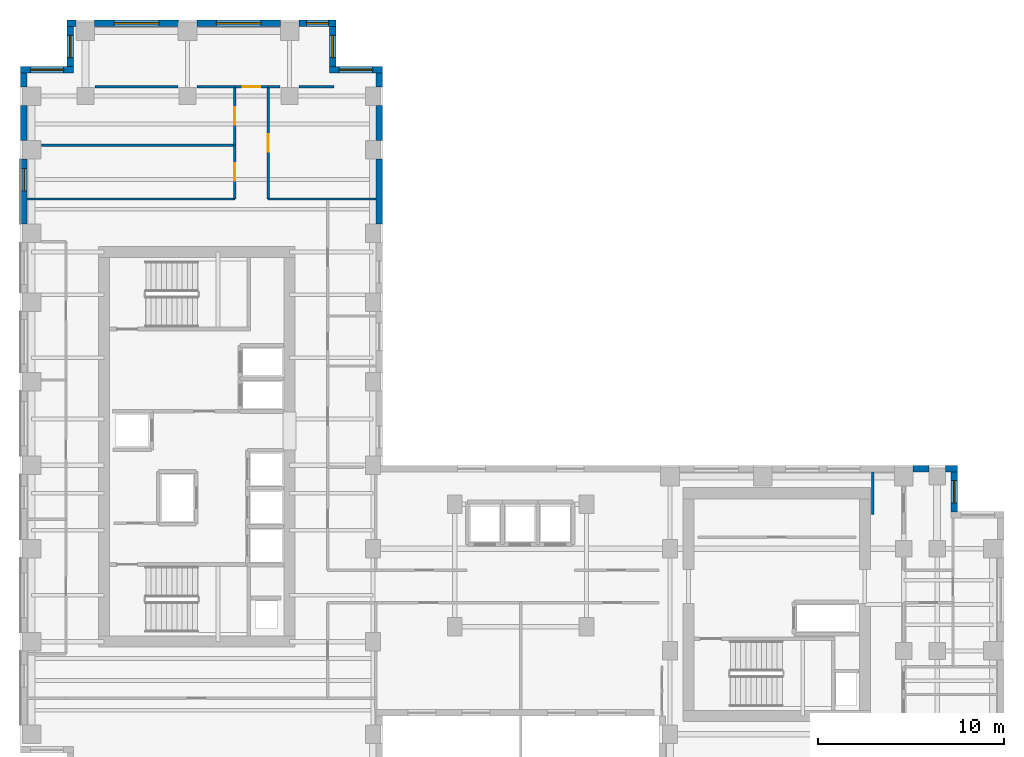
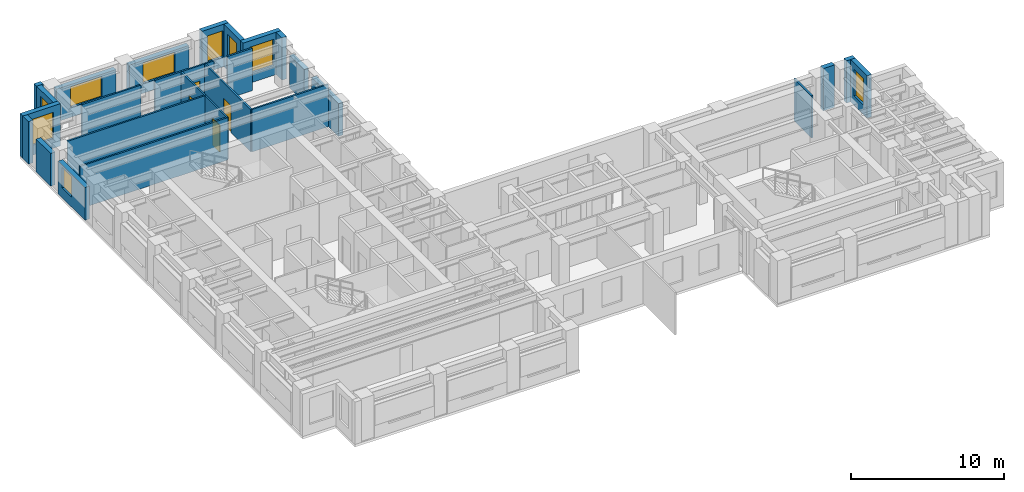
# One storey, part 9 of 12: 29 walls, 9 windows, 4 doors, 13 openings.
"""IFC4 building model written with IfcOpenShell, lengths in metres."""

import ifcopenshell
import ifcopenshell.guid

model = None  # the IFC model being written
_history = None  # IfcOwnerHistory: only IFC2X3 demands one
_inside = {}  # id of a spatial element -> (the spatial element, [elements in it])
_under = {}  # id of a project, library or spatial element -> (it, [spatial elements below it])
_declared = {}  # id of a project -> (the project, [libraries it declares])
_typed = {}  # id of a type object -> (the type object, [elements of that type])
_made_of = {}  # id of a material, layer set ... -> (it, [elements and type objects made of it])


def new_model(schema):
    """Start an empty IFC model of exactly this schema.

    Asked for "IFC4X3", IfcOpenShell would pick the latest addendum, in which some entities
    have other attributes; the version numbers below select the first issue.
    IFC2X3 requires an IfcOwnerHistory on every rooted entity: one is made here for all.
    """
    global model, _history
    if schema == "IFC4X3":
        model = ifcopenshell.file(schema_version=(4, 3, 0, 0))
    else:
        model = ifcopenshell.file(schema=schema)
    _inside.clear()
    _under.clear()
    _declared.clear()
    _typed.clear()
    _made_of.clear()
    _history = None
    if model.schema == "IFC2X3":
        org = make("IfcOrganization", Name="unknown")
        user = make(
            "IfcPersonAndOrganization",
            ThePerson=make("IfcPerson", FamilyName="unknown"),
            TheOrganization=org,
        )
        app = make(
            "IfcApplication",
            ApplicationDeveloper=org,
            Version="unknown",
            ApplicationFullName="unknown",
            ApplicationIdentifier="unknown",
        )
        _history = make(
            "IfcOwnerHistory",
            OwningUser=user,
            OwningApplication=app,
            ChangeAction="ADDED",
            CreationDate=0,
        )
    return model


def make(cls, **values):
    """One entity of the class cls with the attributes given. An attribute that is None is left unset."""
    return model.create_entity(
        cls, **{name: value for name, value in values.items() if value is not None}
    )


def rooted(cls, **values):
    """An entity with a GlobalId (a new one), such as an element, a storey or a relation."""
    return make(cls, GlobalId=ifcopenshell.guid.new(), OwnerHistory=_history, **values)


def si_unit(unit_type, name, prefix=None):
    """IfcSIUnit, for example si_unit("LENGTHUNIT", "METRE", prefix="MILLI")."""
    return make("IfcSIUnit", UnitType=unit_type, Prefix=prefix, Name=name)


def assignment(units):
    """IfcUnitAssignment: the units of a project."""
    return None if units is None else make("IfcUnitAssignment", Units=units)


def point(xyz):
    """IfcCartesianPoint."""
    return None if xyz is None else make("IfcCartesianPoint", Coordinates=xyz)


def direction(xyz):
    """IfcDirection."""
    return None if xyz is None else make("IfcDirection", DirectionRatios=xyz)


def frame(location, z_axis=None, x_axis=None):
    """IfcAxis2Placement3D, a coordinate frame: its origin and axes. An axis left out is left unset."""
    return make(
        "IfcAxis2Placement3D",
        Location=point(location),
        Axis=direction(z_axis),
        RefDirection=direction(x_axis),
    )


def frame_2d(location, x_axis=None):
    """IfcAxis2Placement2D, a coordinate frame in the plane: its origin and x axis."""
    return make(
        "IfcAxis2Placement2D", Location=point(location), RefDirection=direction(x_axis)
    )


def origin():
    """The frame at (0, 0, 0) with its axes left unset."""
    return frame((0.0, 0.0, 0.0))


def place(relative_to, where):
    """IfcLocalPlacement: puts the frame where relative to a parent placement (None: the world)."""
    return make(
        "IfcLocalPlacement", PlacementRelTo=relative_to, RelativePlacement=where
    )


def context(
    kind, dimensions, precision=None, world=None, true_north=None, identifier=None
):
    """IfcGeometricRepresentationContext, for example the 3D "Model" context."""
    return make(
        "IfcGeometricRepresentationContext",
        ContextIdentifier=identifier,
        ContextType=kind,
        CoordinateSpaceDimension=dimensions,
        Precision=precision,
        WorldCoordinateSystem=world,
        TrueNorth=true_north,
    )


def subcontext(parent, identifier, kind, view, scale=None):
    """IfcGeometricRepresentationSubContext, for example "Body" below "Model"."""
    return make(
        "IfcGeometricRepresentationSubContext",
        ContextIdentifier=identifier,
        ContextType=kind,
        ParentContext=parent,
        TargetScale=scale,
        TargetView=view,
    )


def project(units=None, contexts=None):
    """IfcProject with its units and contexts."""
    return rooted(
        "IfcProject",
        Name="project",
        RepresentationContexts=contexts,
        UnitsInContext=assignment(units),
    )


def spatial(cls, under=None, at=None, **own):
    """A site, building, storey or space (cls), placed at a placement, below another one or the project."""
    s = rooted(cls, ObjectPlacement=at, **own)
    if under is not None:
        _under.setdefault(under.id(), (under, []))[1].append(s)
    return s


def profile(cls, at=None, kind="AREA", **sizes):
    """A parametric profile (cls). Its sizes go by their IFC names, for example OverallWidth=200.0."""
    return make(cls, ProfileType=kind, Position=at, **sizes)


def rectangle(**sizes):
    """IfcRectangleProfileDef."""
    return profile("IfcRectangleProfileDef", **sizes)


def extrude(swept, where, along, depth):
    """IfcExtrudedAreaSolid: the profile swept, set in the frame where, extruded along a direction by depth."""
    return make(
        "IfcExtrudedAreaSolid",
        SweptArea=swept,
        Position=where,
        ExtrudedDirection=direction(along),
        Depth=depth,
    )


def shape(context_of_items, identifier, shape_type, items):
    """IfcShapeRepresentation: the items that make up one representation, for example the "Body"."""
    return make(
        "IfcShapeRepresentation",
        ContextOfItems=context_of_items,
        RepresentationIdentifier=identifier,
        RepresentationType=shape_type,
        Items=items,
    )


def source(mapping_origin, context_of_items, identifier, shape_type, items):
    """IfcRepresentationMap: a shape defined once, which mapped items show again and again."""
    return make(
        "IfcRepresentationMap",
        MappingOrigin=mapping_origin,
        MappedRepresentation=shape(context_of_items, identifier, shape_type, items),
    )


def transform(
    local_origin,
    x_axis=None,
    y_axis=None,
    z_axis=None,
    scale=None,
    scale2=None,
    scale3=None,
    uniform=True,
):
    """IfcCartesianTransformationOperator3D, or its non-uniform kind. x_axis, y_axis, z_axis: its Axis1, 2, 3."""
    if uniform:
        return make(
            "IfcCartesianTransformationOperator3D",
            Axis1=direction(x_axis),
            Axis2=direction(y_axis),
            LocalOrigin=point(local_origin),
            Scale=scale,
            Axis3=direction(z_axis),
        )
    return make(
        "IfcCartesianTransformationOperator3DnonUniform",
        Axis1=direction(x_axis),
        Axis2=direction(y_axis),
        LocalOrigin=point(local_origin),
        Scale=scale,
        Axis3=direction(z_axis),
        Scale2=scale2,
        Scale3=scale3,
    )


def mapped(mapping_source, mapping_target):
    """IfcMappedItem: shows the shape of a source again, moved by a transform."""
    return make(
        "IfcMappedItem", MappingSource=mapping_source, MappingTarget=mapping_target
    )


def material(Name=None, Category=None):
    """IfcMaterial."""
    return make("IfcMaterial", Name=Name, Category=Category)


def layer(
    of_material, thickness, ventilated=None, Name=None, Category=None, Priority=None
):
    """IfcMaterialLayer: one layer of a wall or slab, of a material (None: an air gap)."""
    return make(
        "IfcMaterialLayer",
        Material=of_material,
        LayerThickness=thickness,
        IsVentilated=ventilated,
        Name=Name,
        Category=Category,
        Priority=Priority,
    )


def layer_set(layers, Name=None):
    """IfcMaterialLayerSet."""
    return make("IfcMaterialLayerSet", MaterialLayers=layers, LayerSetName=Name)


def made_of(thing, what):
    """Note that an element or type object is made of a material, layer set ...; save() writes the relation."""
    if what is not None:
        _made_of.setdefault(what.id(), (what, []))[1].append(thing)
    return thing


def type_object(cls, material=None, **own):
    """A type object (cls), such as IfcWallType, which elements share."""
    return made_of(rooted(cls, **own), material)


def element(
    cls,
    number,
    at=None,
    inside=None,
    cuts=None,
    type_object=None,
    material=None,
    context=None,
    identifier="Body",
    shape_type=None,
    held_by="IfcProductDefinitionShape",
    body=None,
    shapes=None,
    **own,
):
    """One element of the class cls, such as IfcWall. Its Tag is "e" and its number.

    at: its placement. inside: the storey or other place that contains it. cuts: it is an
    opening in that element (IfcRelVoidsElement). A single representation is given by context,
    identifier, shape_type and body (its items); several are given by shapes. held_by: the class
    of the entity that holds the representations. save() writes the other relations.
    """
    e = rooted(cls, Tag="e%d" % number, ObjectPlacement=at, **own)
    if body is not None:
        shapes = [shape(context, identifier, shape_type, body)]
    if shapes is not None:
        e.Representation = make(held_by, Representations=shapes)
    if inside is not None:
        _inside.setdefault(inside.id(), (inside, []))[1].append(e)
    if cuts is not None:
        rooted(
            "IfcRelVoidsElement", RelatingBuildingElement=cuts, RelatedOpeningElement=e
        )
    if type_object is not None:
        _typed.setdefault(type_object.id(), (type_object, []))[1].append(e)
    return made_of(e, material)


def fill(opening, filler):
    """IfcRelFillsElement: the door or window that sits in an opening."""
    return rooted(
        "IfcRelFillsElement",
        RelatingOpeningElement=opening,
        RelatedBuildingElement=filler,
    )


def aggregate(whole, parts):
    """IfcRelAggregates: a whole, such as a stair, and the parts it consists of."""
    return rooted("IfcRelAggregates", RelatingObject=whole, RelatedObjects=parts)


def save(model, path):
    """Write the relations noted so far, then the file.

    IfcRelAggregates (storeys below a building ...), IfcRelContainedInSpatialStructure (elements
    in a storey), IfcRelDefinesByType, IfcRelAssociatesMaterial and IfcRelDeclares: one each for
    every whole, place, type object, material and project.
    """
    for whole, parts in _under.values():
        aggregate(whole, parts)
    for where, things in _inside.values():
        rooted(
            "IfcRelContainedInSpatialStructure",
            RelatedElements=things,
            RelatingStructure=where,
        )
    for kind, things in _typed.values():
        rooted("IfcRelDefinesByType", RelatedObjects=things, RelatingType=kind)
    for what, things in _made_of.values():
        rooted("IfcRelAssociatesMaterial", RelatedObjects=things, RelatingMaterial=what)
    for by, libraries in _declared.values():
        rooted("IfcRelDeclares", RelatingContext=by, RelatedDefinitions=libraries)
    model.write(path)


model = new_model("IFC4")

# Units and contexts
model_context = context("Model", 3, precision=1e-05, world=origin(), true_north=direction((0.0, 1.0)))
body_context = subcontext(model_context, "Body", "Model", "MODEL_VIEW")
ifc_project = project(units=[si_unit("LENGTHUNIT", "METRE"), si_unit("AREAUNIT", "SQUARE_METRE"), si_unit("VOLUMEUNIT", "CUBIC_METRE"), si_unit("PLANEANGLEUNIT", "RADIAN"), si_unit("MASSUNIT", "GRAM", prefix="KILO")], contexts=[model_context])

# Site, building, storey
site_placement = place(None, origin())
site = spatial("IfcSite", under=ifc_project, at=site_placement, CompositionType="ELEMENT")
building_placement = place(site_placement, origin())
building = spatial("IfcBuilding", under=site, at=building_placement, Name="Kharzan Plaza Tower", CompositionType="ELEMENT")
storey_placement = place(building_placement, frame((0.0, 0.0, 146.699951171875)))
storey = spatial("IfcBuildingStorey", under=building, at=storey_placement, Name="L39", CompositionType="ELEMENT", Elevation=146.699951171875)

# Wall, opening, window
ifc_material_1 = material(Name="Concrete C40/50", Category="concrete")
ifc_layer_1 = layer(ifc_material_1, 0.35009765625)
ifc_layer_set_1 = layer_set([ifc_layer_1], Name="Concrete C40/50")
wall_type_1 = type_object("IfcWallType", Name="WL-EXT-MAS-Z3", PredefinedType="SOLIDWALL", material=ifc_layer_set_1)
wall_1_placement = place(storey_placement, frame((19.5, 39.324951171875, 0.0), z_axis=(0.0, 0.0, 1.0), x_axis=(-1.0, 0.0, 0.0)))
wall_1 = element("IfcWall", 1, at=wall_1_placement, inside=storey, type_object=wall_type_1, Name="L39 Masonry-Frame Exterior Wall 01", PredefinedType="SOLIDWALL", context=body_context, shape_type="SweptSolid", body=[
    extrude(rectangle(XDim=2.85009765625, YDim=0.35009765625, at=frame_2d((1.425048828125, 0.0))), origin(), (0.0, 0.0, 1.0), 3.385009765625),
])
opening_1_placement = place(wall_1_placement, frame((0.52490234375, 0.0, 0.780029296875)))
opening_1 = element("IfcOpeningElement", 2, at=opening_1_placement, cuts=wall_1, Name="Opening W1", PredefinedType="OPENING", context=body_context, shape_type="SweptSolid", body=[
    extrude(rectangle(XDim=1.800048828125, YDim=2.10009765625, at=frame_2d((0.89990234375, 1.050048828125))), frame((0.0, 0.18505859375, 0.0), z_axis=(0.0, -1.0, 0.0), x_axis=(1.0, 0.0, 0.0)), (0.0, 0.0, 1.0), 0.3701171875),
])
ifc_material_2 = material(Name="Low-E Double Glazing", Category="glass")
window_type_1 = type_object("IfcWindowType", Name="WN-REC-1800x2100", PartitioningType="SINGLE_PANEL", PredefinedType="WINDOW", material=ifc_material_2)
shared_shape_1 = source(origin(), body_context, "Body", "SweptSolid", [
    extrude(rectangle(XDim=1.800048828125, YDim=2.10009765625, at=frame_2d((0.89990234375, 1.050048828125))), frame((0.0, 0.030029296875, 0.0), z_axis=(0.0, -1.0, 0.0), x_axis=(1.0, 0.0, 0.0)), (0.0, 0.0, 1.0), 0.06005859375),
])
window_1_placement = place(opening_1_placement, origin())
window_1 = element("IfcWindow", 3, at=window_1_placement, inside=storey, type_object=window_type_1, Name="L39 Recessed Solar-Control Window 01-1", OverallHeight=2.10009765625, OverallWidth=1.800048828125, PartitioningType="SINGLE_PANEL", PredefinedType="WINDOW", context=body_context, shape_type="MappedRepresentation", body=[
    mapped(shared_shape_1, transform((0.0, 0.0, 0.0), x_axis=(1.0, 0.0, 0.0), y_axis=(0.0, 1.0, 0.0), z_axis=(0.0, 0.0, 1.0))),
])
fill(opening_1, window_1)

wall_2_placement = place(storey_placement, frame((16.824951171875, 39.498046875, 0.0), z_axis=(0.0, 0.0, 1.0), x_axis=(0.0, 1.0, 0.0)))
wall_2 = element("IfcWall", 4, at=wall_2_placement, inside=storey, type_object=wall_type_1, Name="L39 Masonry-Frame Exterior Wall 02", PredefinedType="SOLIDWALL", context=body_context, shape_type="SweptSolid", body=[
    extrude(rectangle(XDim=2.154052734375, YDim=0.35009765625, at=frame_2d((1.0771484375, 0.0))), origin(), (0.0, 0.0, 1.0), 3.385009765625),
])
opening_2_placement = place(wall_2_placement, frame((0.47705078125, 0.0, 0.780029296875)))
opening_2 = element("IfcOpeningElement", 5, at=opening_2_placement, cuts=wall_2, Name="Opening W3", PredefinedType="OPENING", context=body_context, shape_type="SweptSolid", body=[
    extrude(rectangle(XDim=1.199951171875, YDim=2.10009765625, at=frame_2d((0.60009765625, 1.050048828125))), frame((0.0, 0.18505859375, 0.0), z_axis=(0.0, -1.0, 0.0), x_axis=(1.0, 0.0, 0.0)), (0.0, 0.0, 1.0), 0.3701171875),
])
window_type_2 = type_object("IfcWindowType", Name="WN-REC-1200x2100", PartitioningType="SINGLE_PANEL", PredefinedType="WINDOW", material=ifc_material_2)
shared_shape_2 = source(origin(), body_context, "Body", "SweptSolid", [
    extrude(rectangle(XDim=1.199951171875, YDim=2.10009765625, at=frame_2d((0.60009765625, 1.050048828125))), frame((0.0, 0.030029296875, 0.0), z_axis=(0.0, -1.0, 0.0), x_axis=(1.0, 0.0, 0.0)), (0.0, 0.0, 1.0), 0.06005859375),
])
window_2_placement = place(opening_2_placement, origin())
window_2 = element("IfcWindow", 6, at=window_2_placement, inside=storey, type_object=window_type_2, Name="L39 Recessed Solar-Control Window 02-1", OverallHeight=2.10009765625, OverallWidth=1.199951171875, PartitioningType="SINGLE_PANEL", PredefinedType="WINDOW", context=body_context, shape_type="MappedRepresentation", body=[
    mapped(shared_shape_2, transform((0.0, 0.0, 0.0), x_axis=(1.0, 0.0, 0.0), y_axis=(0.0, 1.0, 0.0), z_axis=(0.0, 0.0, 1.0))),
])
fill(opening_2, window_2)

wall_3_placement = place(storey_placement, frame((17.0, 41.824951171875, 0.0), z_axis=(0.0, 0.0, 1.0), x_axis=(-1.0, 0.0, 0.0)))
wall_3 = element("IfcWall", 7, at=wall_3_placement, inside=storey, type_object=wall_type_1, Name="L39 Masonry-Frame Exterior Wall 03", PredefinedType="SOLIDWALL", context=body_context, shape_type="SweptSolid", body=[
    extrude(rectangle(XDim=2.001953125, YDim=0.35009765625, at=frame_2d((1.0009765625, 0.0))), origin(), (0.0, 0.0, 1.0), 3.385009765625),
])
opening_3_placement = place(wall_3_placement, frame((0.40087890625, 0.0, 0.780029296875)))
opening_3 = element("IfcOpeningElement", 8, at=opening_3_placement, cuts=wall_3, Name="Opening W3", PredefinedType="OPENING", context=body_context, shape_type="SweptSolid", body=[
    extrude(rectangle(XDim=1.199951171875, YDim=2.10009765625, at=frame_2d((0.60009765625, 1.050048828125))), frame((0.0, 0.18505859375, 0.0), z_axis=(0.0, -1.0, 0.0), x_axis=(1.0, 0.0, 0.0)), (0.0, 0.0, 1.0), 0.3701171875),
])
window_3_placement = place(opening_3_placement, origin())
window_3 = element("IfcWindow", 9, at=window_3_placement, inside=storey, type_object=window_type_2, Name="L39 Recessed Solar-Control Window 03-1", OverallHeight=2.10009765625, OverallWidth=1.199951171875, PartitioningType="SINGLE_PANEL", PredefinedType="WINDOW", context=body_context, shape_type="MappedRepresentation", body=[
    mapped(shared_shape_2, transform((0.0, 0.0, 0.0), x_axis=(1.0, 0.0, 0.0), y_axis=(0.0, 1.0, 0.0), z_axis=(0.0, 0.0, 1.0))),
])
fill(opening_3, window_3)

wall_4_placement = place(storey_placement, frame((14.001953125, 41.824951171875, 0.0), z_axis=(0.0, 0.0, 1.0), x_axis=(-1.0, 0.0, 0.0)))
wall_4 = element("IfcWall", 10, at=wall_4_placement, inside=storey, type_object=wall_type_1, Name="L39 Masonry-Frame Exterior Wall 04", PredefinedType="SOLIDWALL", context=body_context, shape_type="SweptSolid", body=[
    extrude(rectangle(XDim=4.50390625, YDim=0.35009765625, at=frame_2d((2.251953125, 0.0))), origin(), (0.0, 0.0, 1.0), 2.612060546875),
])
opening_4_placement = place(wall_4_placement, frame((1.052001953125, 0.0, 0.780029296875)))
opening_4 = element("IfcOpeningElement", 11, at=opening_4_placement, cuts=wall_4, Name="Opening W2", PredefinedType="OPENING", context=body_context, shape_type="SweptSolid", body=[
    extrude(rectangle(XDim=2.39990234375, YDim=1.652099609375, at=frame_2d((1.199951171875, 0.826171875))), frame((0.0, 0.18505859375, 0.0), z_axis=(0.0, -1.0, 0.0), x_axis=(1.0, 0.0, 0.0)), (0.0, 0.0, 1.0), 0.3701171875),
])
window_type_3 = type_object("IfcWindowType", Name="WN-REC-2400x2100", PartitioningType="SINGLE_PANEL", PredefinedType="WINDOW", material=ifc_material_2)
shared_shape_3 = source(origin(), body_context, "Body", "SweptSolid", [
    extrude(rectangle(XDim=2.39990234375, YDim=1.652099609375, at=frame_2d((1.199951171875, 0.826171875))), frame((0.0, 0.030029296875, 0.0), z_axis=(0.0, -1.0, 0.0), x_axis=(1.0, 0.0, 0.0)), (0.0, 0.0, 1.0), 0.06005859375),
])
window_4_placement = place(opening_4_placement, origin())
window_4 = element("IfcWindow", 12, at=window_4_placement, inside=storey, type_object=window_type_3, Name="L39 Wide Recessed Solar-Control Window 04-1", OverallHeight=1.652099609375, OverallWidth=2.39990234375, PartitioningType="SINGLE_PANEL", PredefinedType="WINDOW", context=body_context, shape_type="MappedRepresentation", body=[
    mapped(shared_shape_3, transform((0.0, 0.0, 0.0), x_axis=(1.0, 0.0, 0.0), y_axis=(0.0, 1.0, 0.0), z_axis=(0.0, 0.0, 1.0))),
])
fill(opening_4, window_4)

wall_5_placement = place(storey_placement, frame((8.501953125, 41.824951171875, 0.0), z_axis=(0.0, 0.0, 1.0), x_axis=(-1.0, 0.0, 0.0)))
wall_5 = element("IfcWall", 13, at=wall_5_placement, inside=storey, type_object=wall_type_1, Name="L39 Masonry-Frame Exterior Wall 05", PredefinedType="SOLIDWALL", context=body_context, shape_type="SweptSolid", body=[
    extrude(rectangle(XDim=4.50390625, YDim=0.35009765625, at=frame_2d((2.251953125, 0.0))), origin(), (0.0, 0.0, 1.0), 2.612060546875),
])
opening_5_placement = place(wall_5_placement, frame((1.052001953125, 0.0, 0.780029296875)))
opening_5 = element("IfcOpeningElement", 14, at=opening_5_placement, cuts=wall_5, Name="Opening W2", PredefinedType="OPENING", context=body_context, shape_type="SweptSolid", body=[
    extrude(rectangle(XDim=2.39990234375, YDim=1.652099609375, at=frame_2d((1.199951171875, 0.826171875))), frame((0.0, 0.18505859375, 0.0), z_axis=(0.0, -1.0, 0.0), x_axis=(1.0, 0.0, 0.0)), (0.0, 0.0, 1.0), 0.3701171875),
])
window_5_placement = place(opening_5_placement, origin())
window_5 = element("IfcWindow", 15, at=window_5_placement, inside=storey, type_object=window_type_3, Name="L39 Wide Recessed Solar-Control Window 05-1", OverallHeight=1.652099609375, OverallWidth=2.39990234375, PartitioningType="SINGLE_PANEL", PredefinedType="WINDOW", context=body_context, shape_type="MappedRepresentation", body=[
    mapped(shared_shape_3, transform((0.0, 0.0, 0.0), x_axis=(1.0, 0.0, 0.0), y_axis=(0.0, 1.0, 0.0), z_axis=(0.0, 0.0, 1.0))),
])
fill(opening_5, window_5)

wall_6_placement = place(storey_placement, frame((2.675048828125, 41.652099609375, 0.0), z_axis=(0.0, 0.0, 1.0), x_axis=(0.0, -1.0, 0.0)))
wall_6 = element("IfcWall", 16, at=wall_6_placement, inside=storey, type_object=wall_type_1, Name="L39 Masonry-Frame Exterior Wall 07", PredefinedType="SOLIDWALL", context=body_context, shape_type="SweptSolid", body=[
    extrude(rectangle(XDim=2.154052734375, YDim=0.35009765625, at=frame_2d((1.0771484375, 0.0))), origin(), (0.0, 0.0, 1.0), 3.385009765625),
])
opening_6_placement = place(wall_6_placement, frame((0.47705078125, 0.0, 0.780029296875)))
opening_6 = element("IfcOpeningElement", 17, at=opening_6_placement, cuts=wall_6, Name="Opening W3", PredefinedType="OPENING", context=body_context, shape_type="SweptSolid", body=[
    extrude(rectangle(XDim=1.199951171875, YDim=2.10009765625, at=frame_2d((0.60009765625, 1.050048828125))), frame((0.0, 0.18505859375, 0.0), z_axis=(0.0, -1.0, 0.0), x_axis=(1.0, 0.0, 0.0)), (0.0, 0.0, 1.0), 0.3701171875),
])
window_6_placement = place(opening_6_placement, origin())
window_6 = element("IfcWindow", 18, at=window_6_placement, inside=storey, type_object=window_type_2, Name="L39 Recessed Solar-Control Window 07-1", OverallHeight=2.10009765625, OverallWidth=1.199951171875, PartitioningType="SINGLE_PANEL", PredefinedType="WINDOW", context=body_context, shape_type="MappedRepresentation", body=[
    mapped(shared_shape_2, transform((0.0, 0.0, 0.0), x_axis=(1.0, 0.0, 0.0), y_axis=(0.0, 1.0, 0.0), z_axis=(0.0, 0.0, 1.0))),
])
fill(opening_6, window_6)

wall_7_placement = place(storey_placement, frame((2.85009765625, 39.324951171875, 0.0), z_axis=(0.0, 0.0, 1.0), x_axis=(-1.0, 0.0, 0.0)))
wall_7 = element("IfcWall", 19, at=wall_7_placement, inside=storey, type_object=wall_type_1, Name="L39 Masonry-Frame Exterior Wall 08", PredefinedType="SOLIDWALL", context=body_context, shape_type="SweptSolid", body=[
    extrude(rectangle(XDim=2.85009765625, YDim=0.35009765625, at=frame_2d((1.425048828125, 0.0))), origin(), (0.0, 0.0, 1.0), 3.385009765625),
])
opening_7_placement = place(wall_7_placement, frame((0.52490234375, 0.0, 0.780029296875)))
opening_7 = element("IfcOpeningElement", 20, at=opening_7_placement, cuts=wall_7, Name="Opening W1", PredefinedType="OPENING", context=body_context, shape_type="SweptSolid", body=[
    extrude(rectangle(XDim=1.800048828125, YDim=2.10009765625, at=frame_2d((0.89990234375, 1.050048828125))), frame((0.0, 0.18505859375, 0.0), z_axis=(0.0, -1.0, 0.0), x_axis=(1.0, 0.0, 0.0)), (0.0, 0.0, 1.0), 0.3701171875),
])
window_7_placement = place(opening_7_placement, origin())
window_7 = element("IfcWindow", 21, at=window_7_placement, inside=storey, type_object=window_type_1, Name="L39 Recessed Solar-Control Window 08-1", OverallHeight=2.10009765625, OverallWidth=1.800048828125, PartitioningType="SINGLE_PANEL", PredefinedType="WINDOW", context=body_context, shape_type="MappedRepresentation", body=[
    mapped(shared_shape_1, transform((0.0, 0.0, 0.0), x_axis=(1.0, 0.0, 0.0), y_axis=(0.0, 1.0, 0.0), z_axis=(0.0, 0.0, 1.0))),
])
fill(opening_7, window_7)

wall_8_placement = place(storey_placement, frame((0.175048828125, 34.501953125, 0.0), z_axis=(0.0, 0.0, 1.0), x_axis=(0.0, -1.0, 0.0)))
wall_8 = element("IfcWall", 22, at=wall_8_placement, inside=storey, type_object=wall_type_1, Name="L39 Masonry-Frame Exterior Wall 11", PredefinedType="SOLIDWALL", context=body_context, shape_type="SweptSolid", body=[
    extrude(rectangle(XDim=3.50390625, YDim=0.35009765625, at=frame_2d((1.751953125, 0.0))), origin(), (0.0, 0.0, 1.0), 2.612060546875),
])
opening_8_placement = place(wall_8_placement, frame((0.510986328125, 0.0, 0.780029296875)))
opening_8 = element("IfcOpeningElement", 23, at=opening_8_placement, cuts=wall_8, Name="Opening W3", PredefinedType="OPENING", context=body_context, shape_type="SweptSolid", body=[
    extrude(rectangle(XDim=1.199951171875, YDim=1.652099609375, at=frame_2d((0.60009765625, 0.826171875))), frame((0.0, 0.18505859375, 0.0), z_axis=(0.0, -1.0, 0.0), x_axis=(1.0, 0.0, 0.0)), (0.0, 0.0, 1.0), 0.3701171875),
])
shared_shape_4 = source(origin(), body_context, "Body", "SweptSolid", [
    extrude(rectangle(XDim=1.199951171875, YDim=1.652099609375, at=frame_2d((0.60009765625, 0.826171875))), frame((0.0, 0.030029296875, 0.0), z_axis=(0.0, -1.0, 0.0), x_axis=(1.0, 0.0, 0.0)), (0.0, 0.0, 1.0), 0.06005859375),
])
window_8_placement = place(opening_8_placement, origin())
window_8 = element("IfcWindow", 24, at=window_8_placement, inside=storey, type_object=window_type_2, Name="L39 Recessed Solar-Control Window 11-1", OverallHeight=1.652099609375, OverallWidth=1.199951171875, PartitioningType="SINGLE_PANEL", PredefinedType="WINDOW", context=body_context, shape_type="MappedRepresentation", body=[
    mapped(shared_shape_4, transform((0.0, 0.0, 0.0), x_axis=(1.0, 0.0, 0.0), y_axis=(0.0, 1.0, 0.0), z_axis=(0.0, 0.0, 1.0))),
])
fill(opening_8, window_8)

wall_9_placement = place(storey_placement, frame((50.324951171875, 15.498046875, 0.0), z_axis=(0.0, 0.0, 1.0), x_axis=(0.0, 1.0, 0.0)))
wall_9 = element("IfcWall", 25, at=wall_9_placement, inside=storey, type_object=wall_type_1, Name="L39 Masonry-Frame Exterior Wall 39", PredefinedType="SOLIDWALL", context=body_context, shape_type="SweptSolid", body=[
    extrude(rectangle(XDim=2.154052734375, YDim=0.35009765625, at=frame_2d((1.0771484375, 0.0))), origin(), (0.0, 0.0, 1.0), 3.385009765625),
])
opening_9_placement = place(wall_9_placement, frame((0.47705078125, 0.0, 0.780029296875)))
opening_9 = element("IfcOpeningElement", 26, at=opening_9_placement, cuts=wall_9, Name="Opening W3", PredefinedType="OPENING", context=body_context, shape_type="SweptSolid", body=[
    extrude(rectangle(XDim=1.199951171875, YDim=2.10009765625, at=frame_2d((0.60009765625, 1.050048828125))), frame((0.0, 0.18505859375, 0.0), z_axis=(0.0, -1.0, 0.0), x_axis=(1.0, 0.0, 0.0)), (0.0, 0.0, 1.0), 0.3701171875),
])
window_9_placement = place(opening_9_placement, origin())
window_9 = element("IfcWindow", 27, at=window_9_placement, inside=storey, type_object=window_type_2, Name="L39 Recessed Solar-Control Window 39-1", OverallHeight=2.10009765625, OverallWidth=1.199951171875, PartitioningType="SINGLE_PANEL", PredefinedType="WINDOW", context=body_context, shape_type="MappedRepresentation", body=[
    mapped(shared_shape_2, transform((0.0, 0.0, 0.0), x_axis=(1.0, 0.0, 0.0), y_axis=(0.0, 1.0, 0.0), z_axis=(0.0, 0.0, 1.0))),
])
fill(opening_9, window_9)

# Wall, opening, door
ifc_material_3 = material(Name="Fire-Rated Gypsum Board Partition", Category="gypsum")
ifc_layer_2 = layer(ifc_material_3, 0.125)
ifc_layer_set_2 = layer_set([ifc_layer_2], Name="Fire-Rated Gypsum Board Partition")
wall_type_2 = type_object("IfcWallType", Name="WL-INT-PART-125", PredefinedType="PARTITIONING", material=ifc_layer_set_2)
wall_10_placement = place(storey_placement, frame((13.35009765625, 32.35009765625, 0.0), z_axis=(0.0, 0.0, 1.0), x_axis=(0.0, 1.0, 0.0)))
wall_10 = element("IfcWall", 28, at=wall_10_placement, inside=storey, type_object=wall_type_2, Name="L39 Interior Partition SH-SPE-1", PredefinedType="PARTITIONING", context=body_context, shape_type="SweptSolid", body=[
    extrude(rectangle(XDim=6.0498046875, YDim=0.125, at=frame_2d((3.02490234375, 0.0))), origin(), (0.0, 0.0, 1.0), 3.385009765625),
])
opening_10_placement = place(wall_10_placement, frame((2.550048828125, 0.0, 0.0)))
opening_10 = element("IfcOpeningElement", 29, at=opening_10_placement, cuts=wall_10, Name="Opening OD1", PredefinedType="OPENING", context=body_context, shape_type="SweptSolid", body=[
    extrude(rectangle(XDim=0.949951171875, YDim=2.14990234375, at=frame_2d((0.47509765625, 1.074951171875))), frame((0.0, 0.072509765625, 0.0), z_axis=(0.0, -1.0, 0.0), x_axis=(1.0, 0.0, 0.0)), (0.0, 0.0, 1.0), 0.14501953125),
])
ifc_material_4 = material(Name="Acoustic Solid-Core Stained Oak", Category="timber")
door_type = type_object("IfcDoorType", Name="DR-OFF-SINGLE", OperationType="NOTDEFINED", PredefinedType="DOOR", material=ifc_material_4)
shared_shape_5 = source(origin(), body_context, "Body", "SweptSolid", [
    extrude(rectangle(XDim=0.949951171875, YDim=2.14990234375, at=frame_2d((0.47509765625, 1.074951171875))), frame((0.0, 0.02490234375, 0.0), z_axis=(0.0, -1.0, 0.0), x_axis=(1.0, 0.0, 0.0)), (0.0, 0.0, 1.0), 0.050048828125),
])
door_1_placement = place(opening_10_placement, origin())
door_1 = element("IfcDoor", 30, at=door_1_placement, inside=storey, type_object=door_type, Name="L39 Project Engineering Office Door", OperationType="SINGLE_SWING_LEFT", OverallHeight=2.14990234375, OverallWidth=0.949951171875, PredefinedType="DOOR", context=body_context, shape_type="MappedRepresentation", body=[
    mapped(shared_shape_5, transform((0.0, 0.0, 0.0), x_axis=(1.0, 0.0, 0.0), y_axis=(0.0, 1.0, 0.0), z_axis=(0.0, 0.0, 1.0))),
])
fill(opening_10, door_1)

wall_11_placement = place(storey_placement, frame((11.550048828125, 38.39990234375, 0.0), z_axis=(0.0, 0.0, 1.0), x_axis=(1.0, 0.0, 0.0)))
wall_11 = element("IfcWall", 31, at=wall_11_placement, inside=storey, type_object=wall_type_2, Name="L39 Interior Partition SH-SPHD", PredefinedType="PARTITIONING", context=body_context, shape_type="SweptSolid", body=[
    extrude(rectangle(XDim=1.800048828125, YDim=0.125, at=frame_2d((0.89990234375, 0.0))), origin(), (0.0, 0.0, 1.0), 3.385009765625),
])
opening_11_placement = place(wall_11_placement, frame((0.425048828125, 0.0, 0.0)))
opening_11 = element("IfcOpeningElement", 32, at=opening_11_placement, cuts=wall_11, Name="Opening OD1", PredefinedType="OPENING", context=body_context, shape_type="SweptSolid", body=[
    extrude(rectangle(XDim=0.949951171875, YDim=2.14990234375, at=frame_2d((0.47509765625, 1.074951171875))), frame((0.0, 0.072509765625, 0.0), z_axis=(0.0, -1.0, 0.0), x_axis=(1.0, 0.0, 0.0)), (0.0, 0.0, 1.0), 0.14501953125),
])
door_2_placement = place(opening_11_placement, origin())
door_2 = element("IfcDoor", 33, at=door_2_placement, inside=storey, type_object=door_type, Name="L39 North Boardroom Door", OperationType="SINGLE_SWING_RIGHT", OverallHeight=2.14990234375, OverallWidth=0.949951171875, PredefinedType="DOOR", context=body_context, shape_type="MappedRepresentation", body=[
    mapped(shared_shape_5, transform((0.0, 0.0, 0.0), x_axis=(1.0, 0.0, 0.0), y_axis=(0.0, 1.0, 0.0), z_axis=(0.0, 0.0, 1.0))),
])
fill(opening_11, door_2)

wall_12_placement = place(storey_placement, frame((11.550048828125, 32.35009765625, 0.0), z_axis=(0.0, 0.0, 1.0), x_axis=(0.0, 1.0, 0.0)))
wall_12 = element("IfcWall", 34, at=wall_12_placement, inside=storey, type_object=wall_type_2, Name="L39 Interior Partition SH-SPW-1", PredefinedType="PARTITIONING", context=body_context, shape_type="SweptSolid", body=[
    extrude(rectangle(XDim=2.90380859375, YDim=0.125, at=frame_2d((1.451904296875, 0.0))), origin(), (0.0, 0.0, 1.0), 3.385009765625),
])
opening_12_placement = place(wall_12_placement, frame((0.97705078125, 0.0, 0.0)))
opening_12 = element("IfcOpeningElement", 35, at=opening_12_placement, cuts=wall_12, Name="Opening OD1", PredefinedType="OPENING", context=body_context, shape_type="SweptSolid", body=[
    extrude(rectangle(XDim=0.949951171875, YDim=2.14990234375, at=frame_2d((0.47509765625, 1.074951171875))), frame((0.0, 0.072509765625, 0.0), z_axis=(0.0, -1.0, 0.0), x_axis=(1.0, 0.0, 0.0)), (0.0, 0.0, 1.0), 0.14501953125),
])
door_3_placement = place(opening_12_placement, origin())
door_3 = element("IfcDoor", 36, at=door_3_placement, inside=storey, type_object=door_type, Name="L39 Systems Planning Office Door", OperationType="SINGLE_SWING_LEFT", OverallHeight=2.14990234375, OverallWidth=0.949951171875, PredefinedType="DOOR", context=body_context, shape_type="MappedRepresentation", body=[
    mapped(shared_shape_5, transform((0.0, 0.0, 0.0), x_axis=(1.0, 0.0, 0.0), y_axis=(0.0, 1.0, 0.0), z_axis=(0.0, 0.0, 1.0))),
])
fill(opening_12, door_3)

wall_13_placement = place(storey_placement, frame((11.550048828125, 35.25390625, 0.0), z_axis=(0.0, 0.0, 1.0), x_axis=(0.0, 1.0, 0.0)))
wall_13 = element("IfcWall", 37, at=wall_13_placement, inside=storey, type_object=wall_type_2, Name="L39 Interior Partition SH-SPW-2", PredefinedType="PARTITIONING", context=body_context, shape_type="SweptSolid", body=[
    extrude(rectangle(XDim=3.14599609375, YDim=0.125, at=frame_2d((1.572998046875, 0.0))), origin(), (0.0, 0.0, 1.0), 3.385009765625),
])
opening_13_placement = place(wall_13_placement, frame((1.097900390625, 0.0, 0.0)))
opening_13 = element("IfcOpeningElement", 38, at=opening_13_placement, cuts=wall_13, Name="Opening OD1", PredefinedType="OPENING", context=body_context, shape_type="SweptSolid", body=[
    extrude(rectangle(XDim=0.949951171875, YDim=2.14990234375, at=frame_2d((0.47509765625, 1.074951171875))), frame((0.0, 0.072509765625, 0.0), z_axis=(0.0, -1.0, 0.0), x_axis=(1.0, 0.0, 0.0)), (0.0, 0.0, 1.0), 0.14501953125),
])
door_4_placement = place(opening_13_placement, origin())
door_4 = element("IfcDoor", 39, at=door_4_placement, inside=storey, type_object=door_type, Name="L39 Open Office Workspace Door", OperationType="SINGLE_SWING_RIGHT", OverallHeight=2.14990234375, OverallWidth=0.949951171875, PredefinedType="DOOR", context=body_context, shape_type="MappedRepresentation", body=[
    mapped(shared_shape_5, transform((0.0, 0.0, 0.0), x_axis=(1.0, 0.0, 0.0), y_axis=(0.0, 1.0, 0.0), z_axis=(0.0, 0.0, 1.0))),
])
fill(opening_13, door_4)

# Walls
shared_shape_6 = source(origin(), body_context, "Body", "SweptSolid", [
    extrude(rectangle(XDim=0.501953125, YDim=0.35009765625, at=frame_2d((0.2509765625, 0.0))), origin(), (0.0, 0.0, 1.0), 3.385009765625),
])
wall_14_placement = place(storey_placement, frame((3.001953125, 41.824951171875, 0.0), z_axis=(0.0, 0.0, 1.0), x_axis=(-1.0, 0.0, 0.0)))
element("IfcWall", 40, at=wall_14_placement, inside=storey, type_object=wall_type_1, Name="L39 Masonry-Frame Exterior Wall 06", PredefinedType="SOLIDWALL", context=body_context, shape_type="MappedRepresentation", body=[
    mapped(shared_shape_6, transform((0.0, 0.0, 0.0), x_axis=(1.0, 0.0, 0.0), y_axis=(0.0, 1.0, 0.0), z_axis=(0.0, 0.0, 1.0))),
])
shared_shape_7 = source(origin(), body_context, "Body", "SweptSolid", [
    extrude(rectangle(XDim=0.754150390625, YDim=0.35009765625, at=frame_2d((0.376953125, 0.0))), origin(), (0.0, 0.0, 1.0), 3.385009765625),
])
for number, where, z_axis, x_axis, name in (
    (41, (0.175048828125, 39.152099609375, 0.0), (0.0, 0.0, 1.0), (0.0, -1.0, 0.0), "L39 Masonry-Frame Exterior Wall 09"),
    (42, (19.324951171875, 38.39794921875, 0.0), (0.0, 0.0, 1.0), (0.0, 1.0, 0.0), "L39 Masonry-Frame Exterior Wall 50"),
):
    element("IfcWall", number, at=place(storey_placement, frame(where, z_axis=z_axis, x_axis=x_axis)), inside=storey, type_object=wall_type_1, Name=name, PredefinedType="SOLIDWALL", context=body_context, shape_type="MappedRepresentation", body=[
        mapped(shared_shape_7, transform((0.0, 0.0, 0.0), x_axis=(1.0, 0.0, 0.0), y_axis=(0.0, 1.0, 0.0), z_axis=(0.0, 0.0, 1.0))),
    ])
shared_shape_8 = source(origin(), body_context, "Body", "SweptSolid", [
    extrude(rectangle(XDim=0.652099609375, YDim=0.35009765625, at=frame_2d((0.326171875, 0.0))), origin(), (0.0, 0.0, 1.0), 3.385009765625),
])
wall_15_placement = place(storey_placement, frame((50.5, 17.824951171875, 0.0), z_axis=(0.0, 0.0, 1.0), x_axis=(-1.0, 0.0, 0.0)))
element("IfcWall", 43, at=wall_15_placement, inside=storey, type_object=wall_type_1, Name="L39 Masonry-Frame Exterior Wall 40", PredefinedType="SOLIDWALL", context=body_context, shape_type="MappedRepresentation", body=[
    mapped(shared_shape_8, transform((0.0, 0.0, 0.0), x_axis=(1.0, 0.0, 0.0), y_axis=(0.0, 1.0, 0.0), z_axis=(0.0, 0.0, 1.0))),
])
shared_shape_9 = source(origin(), body_context, "Body", "SweptSolid", [
    extrude(rectangle(XDim=0.85400390625, YDim=0.35009765625, at=frame_2d((0.427001953125, 0.0))), origin(), (0.0, 0.0, 1.0), 3.385009765625),
])
wall_16_placement = place(storey_placement, frame((48.951904296875, 17.824951171875, 0.0), z_axis=(0.0, 0.0, 1.0), x_axis=(-1.0, 0.0, 0.0)))
element("IfcWall", 44, at=wall_16_placement, inside=storey, type_object=wall_type_1, Name="L39 Masonry-Frame Exterior Wall 41", PredefinedType="SOLIDWALL", context=body_context, shape_type="MappedRepresentation", body=[
    mapped(shared_shape_9, transform((0.0, 0.0, 0.0), x_axis=(1.0, 0.0, 0.0), y_axis=(0.0, 1.0, 0.0), z_axis=(0.0, 0.0, 1.0))),
])
shared_shape_10 = source(origin(), body_context, "Body", "SweptSolid", [
    extrude(rectangle(XDim=2.2978515625, YDim=0.125, at=frame_2d((1.14892578125, 0.0))), origin(), (0.0, 0.0, 1.0), 3.385009765625),
])
wall_17_placement = place(storey_placement, frame((45.919921875, 15.35009765625, 0.0), z_axis=(0.0, 0.0, 1.0), x_axis=(0.0, 1.0, 0.0)))
element("IfcWall", 45, at=wall_17_placement, inside=storey, type_object=wall_type_2, Name="L39 Interior Partition SH-RBNE0", PredefinedType="PARTITIONING", context=body_context, shape_type="MappedRepresentation", body=[
    mapped(shared_shape_10, transform((0.0, 0.0, 0.0), x_axis=(1.0, 0.0, 0.0), y_axis=(0.0, 1.0, 0.0), z_axis=(0.0, 0.0, 1.0))),
])
shared_shape_11 = source(origin(), body_context, "Body", "SweptSolid", [
    extrude(rectangle(XDim=1.904052734375, YDim=0.35009765625, at=frame_2d((0.9521484375, 0.0))), origin(), (0.0, 0.0, 1.0), 2.612060546875),
])
for number, where, z_axis, x_axis, name in (
    (46, (0.175048828125, 37.402099609375, 0.0), (0.0, 0.0, 1.0), (0.0, -1.0, 0.0), "L39 Masonry-Frame Exterior Wall 10"),
    (47, (19.324951171875, 35.498046875, 0.0), (0.0, 0.0, 1.0), (0.0, 1.0, 0.0), "L39 Masonry-Frame Exterior Wall 49"),
):
    element("IfcWall", number, at=place(storey_placement, frame(where, z_axis=z_axis, x_axis=x_axis)), inside=storey, type_object=wall_type_1, Name=name, PredefinedType="SOLIDWALL", context=body_context, shape_type="MappedRepresentation", body=[
        mapped(shared_shape_11, transform((0.0, 0.0, 0.0), x_axis=(1.0, 0.0, 0.0), y_axis=(0.0, 1.0, 0.0), z_axis=(0.0, 0.0, 1.0))),
    ])
shared_shape_12 = source(origin(), body_context, "Body", "SweptSolid", [
    extrude(rectangle(XDim=3.50390625, YDim=0.35009765625, at=frame_2d((1.751953125, 0.0))), origin(), (0.0, 0.0, 1.0), 2.612060546875),
])
wall_18_placement = place(storey_placement, frame((19.324951171875, 30.998046875, 0.0), z_axis=(0.0, 0.0, 1.0), x_axis=(0.0, 1.0, 0.0)))
element("IfcWall", 48, at=wall_18_placement, inside=storey, type_object=wall_type_1, Name="L39 Masonry-Frame Exterior Wall 48", PredefinedType="SOLIDWALL", context=body_context, shape_type="MappedRepresentation", body=[
    mapped(shared_shape_12, transform((0.0, 0.0, 0.0), x_axis=(1.0, 0.0, 0.0), y_axis=(0.0, 1.0, 0.0), z_axis=(0.0, 0.0, 1.0))),
])
shared_shape_13 = source(origin(), body_context, "Body", "SweptSolid", [
    extrude(rectangle(XDim=5.7978515625, YDim=0.125, at=frame_2d((2.89892578125, 0.0))), origin(), (0.0, 0.0, 1.0), 3.385009765625),
])
wall_19_placement = place(storey_placement, frame((13.35009765625, 32.35009765625, 0.0), z_axis=(0.0, 0.0, 1.0), x_axis=(1.0, 0.0, 0.0)))
element("IfcWall", 49, at=wall_19_placement, inside=storey, type_object=wall_type_2, Name="L39 Interior Partition SH-NNE", PredefinedType="PARTITIONING", context=body_context, shape_type="MappedRepresentation", body=[
    mapped(shared_shape_13, transform((0.0, 0.0, 0.0), x_axis=(1.0, 0.0, 0.0), y_axis=(0.0, 1.0, 0.0), z_axis=(0.0, 0.0, 1.0))),
])
shared_shape_14 = source(origin(), body_context, "Body", "SweptSolid", [
    extrude(rectangle(XDim=11.197998046875, YDim=0.125, at=frame_2d((5.59912109375, 0.0))), origin(), (0.0, 0.0, 1.0), 3.385009765625),
])
wall_20_placement = place(storey_placement, frame((0.35205078125, 32.35009765625, 0.0), z_axis=(0.0, 0.0, 1.0), x_axis=(1.0, 0.0, 0.0)))
element("IfcWall", 50, at=wall_20_placement, inside=storey, type_object=wall_type_2, Name="L39 Interior Partition SH-NNW", PredefinedType="PARTITIONING", context=body_context, shape_type="MappedRepresentation", body=[
    mapped(shared_shape_14, transform((0.0, 0.0, 0.0), x_axis=(1.0, 0.0, 0.0), y_axis=(0.0, 1.0, 0.0), z_axis=(0.0, 0.0, 1.0))),
])
shared_shape_15 = source(origin(), body_context, "Body", "SweptSolid", [
    extrude(rectangle(XDim=10.429931640625, YDim=0.125, at=frame_2d((5.21484375, 0.0))), origin(), (0.0, 0.0, 1.0), 3.385009765625),
])
wall_21_placement = place(storey_placement, frame((1.1201171875, 35.25390625, 0.0), z_axis=(0.0, 0.0, 1.0), x_axis=(1.0, 0.0, 0.0)))
element("IfcWall", 51, at=wall_21_placement, inside=storey, type_object=wall_type_2, Name="L39 Interior Partition SH-NWH-1", PredefinedType="PARTITIONING", context=body_context, shape_type="MappedRepresentation", body=[
    mapped(shared_shape_15, transform((0.0, 0.0, 0.0), x_axis=(1.0, 0.0, 0.0), y_axis=(0.0, 1.0, 0.0), z_axis=(0.0, 0.0, 1.0))),
])
shared_shape_16 = source(origin(), body_context, "Body", "SweptSolid", [
    extrude(rectangle(XDim=0.6298828125, YDim=0.125, at=frame_2d((0.31494140625, 0.0))), origin(), (0.0, 0.0, 1.0), 3.385009765625),
])
wall_22_placement = place(storey_placement, frame((13.35009765625, 38.39990234375, 0.0), z_axis=(0.0, 0.0, 1.0), x_axis=(1.0, 0.0, 0.0)))
element("IfcWall", 52, at=wall_22_placement, inside=storey, type_object=wall_type_2, Name="L39 Interior Partition SH-SPHE-S1", PredefinedType="PARTITIONING", context=body_context, shape_type="MappedRepresentation", body=[
    mapped(shared_shape_16, transform((0.0, 0.0, 0.0), x_axis=(1.0, 0.0, 0.0), y_axis=(0.0, 1.0, 0.0), z_axis=(0.0, 0.0, 1.0))),
])
shared_shape_17 = source(origin(), body_context, "Body", "SweptSolid", [
    extrude(rectangle(XDim=1.8798828125, YDim=0.125, at=frame_2d((0.93994140625, 0.0))), origin(), (0.0, 0.0, 1.0), 3.385009765625),
])
wall_23_placement = place(storey_placement, frame((15.02001953125, 38.39990234375, 0.0), z_axis=(0.0, 0.0, 1.0), x_axis=(1.0, 0.0, 0.0)))
element("IfcWall", 53, at=wall_23_placement, inside=storey, type_object=wall_type_2, Name="L39 Interior Partition SH-SPHE-S2", PredefinedType="PARTITIONING", context=body_context, shape_type="MappedRepresentation", body=[
    mapped(shared_shape_17, transform((0.0, 0.0, 0.0), x_axis=(1.0, 0.0, 0.0), y_axis=(0.0, 1.0, 0.0), z_axis=(0.0, 0.0, 1.0))),
])
shared_shape_18 = source(origin(), body_context, "Body", "SweptSolid", [
    extrude(rectangle(XDim=4.4599609375, YDim=0.125, at=frame_2d((2.22998046875, 0.0))), origin(), (0.0, 0.0, 1.0), 3.385009765625),
])
wall_24_placement = place(storey_placement, frame((4.02001953125, 38.39990234375, 0.0), z_axis=(0.0, 0.0, 1.0), x_axis=(1.0, 0.0, 0.0)))
element("IfcWall", 54, at=wall_24_placement, inside=storey, type_object=wall_type_2, Name="L39 Interior Partition SH-SPHW-S1", PredefinedType="PARTITIONING", context=body_context, shape_type="MappedRepresentation", body=[
    mapped(shared_shape_18, transform((0.0, 0.0, 0.0), x_axis=(1.0, 0.0, 0.0), y_axis=(0.0, 1.0, 0.0), z_axis=(0.0, 0.0, 1.0))),
])
shared_shape_19 = source(origin(), body_context, "Body", "SweptSolid", [
    extrude(rectangle(XDim=2.030029296875, YDim=0.125, at=frame_2d((1.01513671875, 0.0))), origin(), (0.0, 0.0, 1.0), 3.385009765625),
])
wall_25_placement = place(storey_placement, frame((9.52001953125, 38.39990234375, 0.0), z_axis=(0.0, 0.0, 1.0), x_axis=(1.0, 0.0, 0.0)))
element("IfcWall", 55, at=wall_25_placement, inside=storey, type_object=wall_type_2, Name="L39 Interior Partition SH-SPHW-S2", PredefinedType="PARTITIONING", context=body_context, shape_type="MappedRepresentation", body=[
    mapped(shared_shape_19, transform((0.0, 0.0, 0.0), x_axis=(1.0, 0.0, 0.0), y_axis=(0.0, 1.0, 0.0), z_axis=(0.0, 0.0, 1.0))),
])

save(model, "model.ifc")
